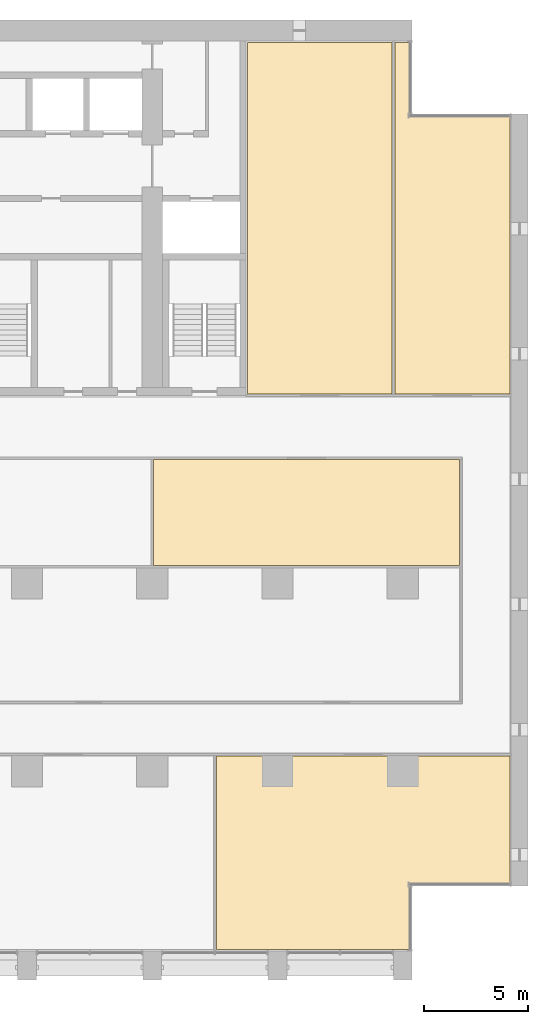
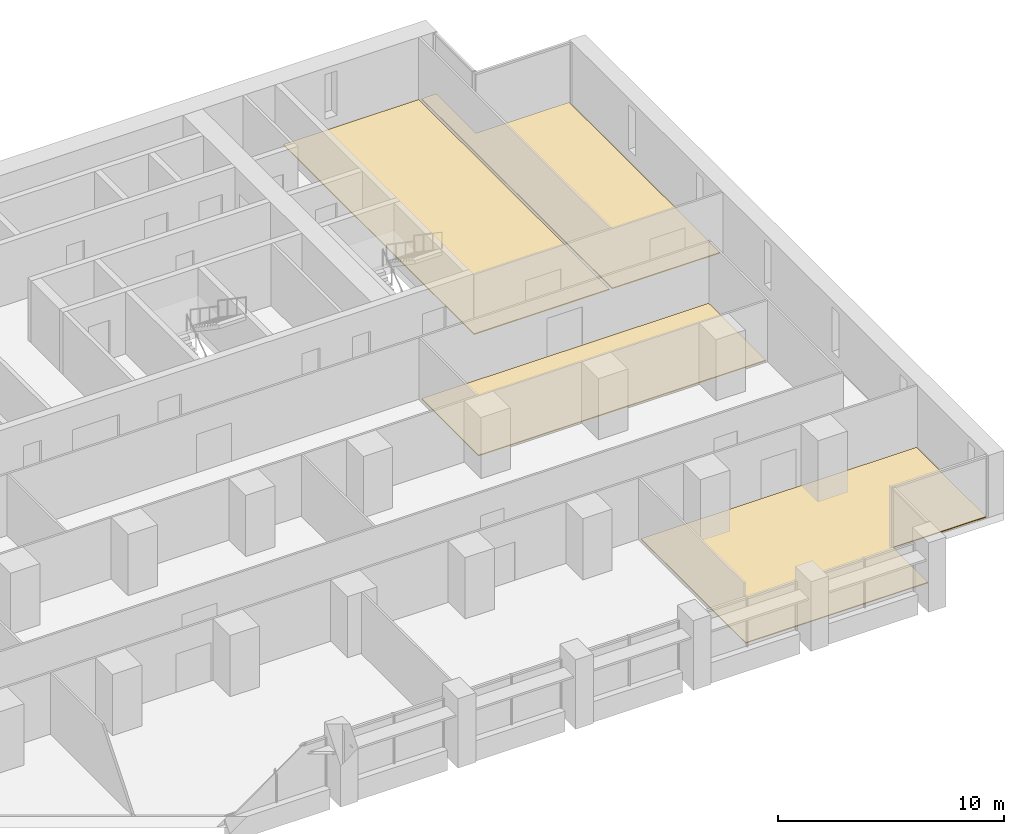
# One storey, part 18 of 18: 4 coverings.
"""IFC4 building model written with IfcOpenShell, lengths in metres."""

from ifc_helpers import new_model, si_unit, direction, frame, origin, place, context, subcontext, project, spatial, polyline, outline, extrude, material, layer, layer_set, type_object, element, save


model = new_model("IFC4")

# Units and contexts
model_context = context("Model", 3, precision=1e-05, world=origin(), true_north=direction((0.0, 1.0)))
body_context = subcontext(model_context, "Body", "Model", "MODEL_VIEW")
ifc_project = project(units=[si_unit("LENGTHUNIT", "METRE"), si_unit("AREAUNIT", "SQUARE_METRE"), si_unit("VOLUMEUNIT", "CUBIC_METRE"), si_unit("PLANEANGLEUNIT", "RADIAN"), si_unit("MASSUNIT", "GRAM", prefix="KILO")], contexts=[model_context])

# Site, building, storey
site_placement = place(None, origin())
site = spatial("IfcSite", under=ifc_project, at=site_placement, CompositionType="ELEMENT")
building_placement = place(site_placement, origin())
building = spatial("IfcBuilding", under=site, at=building_placement, Name="Calvaro Tower", CompositionType="ELEMENT")
storey_placement = place(building_placement, frame((0.0, 0.0, 78.75)))
storey = spatial("IfcBuildingStorey", under=building, at=storey_placement, Name="L19", CompositionType="ELEMENT", Elevation=78.75)

# Coverings
ifc_material = material(Name="Cement screed with carpet tile finish")
ifc_layer = layer(ifc_material, 0.050048828125)
ifc_layer_set = layer_set([ifc_layer], Name="Cement screed with carpet tile finish")
covering_type = type_object("IfcCoveringType", Name="Floor finish 50", PredefinedType="FLOORING", material=ifc_layer_set)
covering_1_placement = place(storey_placement, origin())
element("IfcCovering", 1, at=covering_1_placement, inside=storey, type_object=covering_type, Name="Floor finish 14.06", PredefinedType="FLOORING", context=body_context, shape_type="SweptSolid", body=[
    extrude(outline(polyline([(77.1298828125, 4.570068359375), (72.3798828125, 4.570068359375), (72.3798828125, 1.469970703125), (63.070068359375, 1.469970703125), (63.070068359375, 10.72998046875), (77.1298828125, 10.72998046875), (77.1298828125, 4.570068359375)])), origin(), (0.0, 0.0, 1.0), 0.050048828125),
])
covering_2_placement = place(storey_placement, origin())
element("IfcCovering", 2, at=covering_2_placement, inside=storey, type_object=covering_type, Name="Floor finish 14.16", PredefinedType="FLOORING", context=body_context, shape_type="SweptSolid", body=[
    extrude(outline(polyline([(60.070068359375, 19.8701171875), (60.070068359375, 24.929931640625), (74.72998046875, 24.929931640625), (74.72998046875, 19.8701171875), (60.070068359375, 19.8701171875)])), origin(), (0.0, 0.0, 1.0), 0.050048828125),
])
covering_3_placement = place(storey_placement, origin())
element("IfcCovering", 3, at=covering_3_placement, inside=storey, type_object=covering_type, Name="Floor finish 14.19", PredefinedType="FLOORING", context=body_context, shape_type="SweptSolid", body=[
    extrude(outline(polyline([(71.47998046875, 28.070068359375), (64.570068359375, 28.070068359375), (64.570068359375, 44.929931640625), (71.47998046875, 44.929931640625), (71.47998046875, 28.070068359375)])), origin(), (0.0, 0.0, 1.0), 0.050048828125),
])
covering_4_placement = place(storey_placement, origin())
element("IfcCovering", 4, at=covering_4_placement, inside=storey, type_object=covering_type, Name="Floor finish 14.17", PredefinedType="FLOORING", context=body_context, shape_type="SweptSolid", body=[
    extrude(outline(polyline([(77.1298828125, 28.070068359375), (71.6201171875, 28.070068359375), (71.6201171875, 44.929931640625), (72.3798828125, 44.929931640625), (72.3798828125, 41.429931640625), (77.1298828125, 41.429931640625), (77.1298828125, 28.070068359375)])), origin(), (0.0, 0.0, 1.0), 0.050048828125),
])

save(model, "model.ifc")
